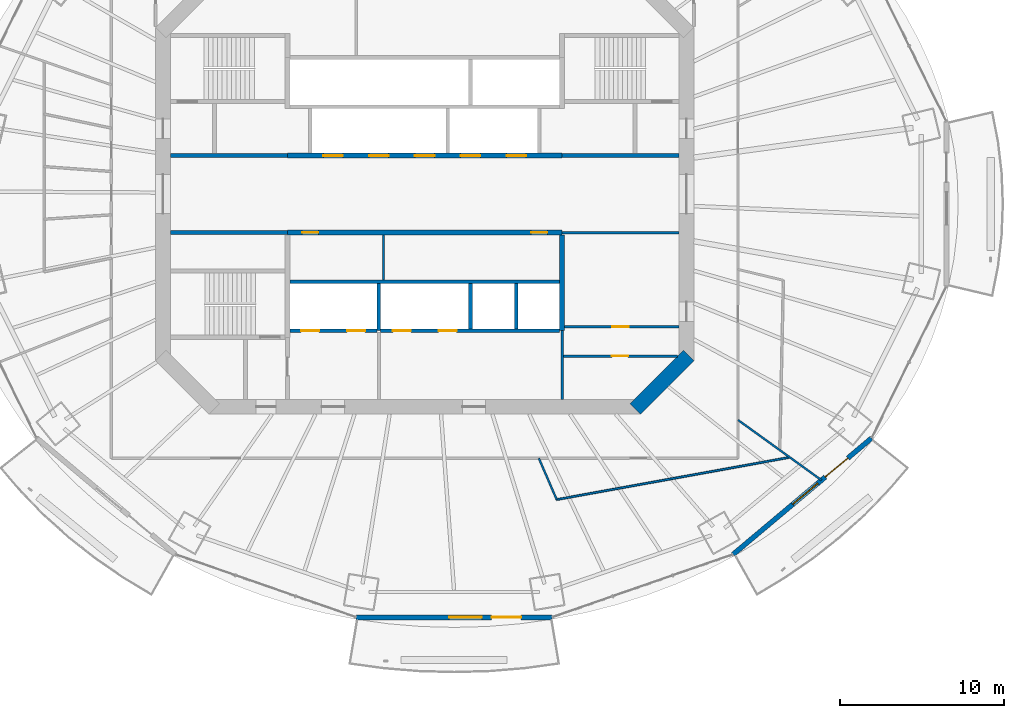
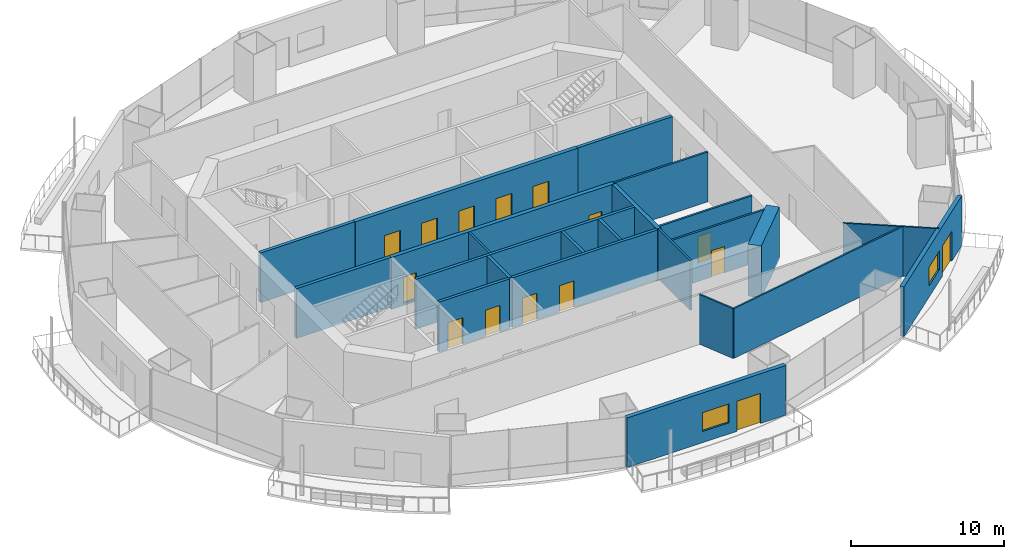
# One storey, part 11 of 19: 23 walls, 15 doors, 2 windows, 17 openings.
"""IFC4 building model written with IfcOpenShell, lengths in metres."""

from ifc_helpers import new_model, si_unit, direction, frame, frame_2d, origin, place, context, subcontext, project, spatial, rectangle, extrude, material, layer, layer_set, type_object, element, fill, save


model = new_model("IFC4")

# Units and contexts
model_context = context("Model", 3, precision=1e-05, world=origin(), true_north=direction((0.0, 1.0)))
body_context = subcontext(model_context, "Body", "Model", "MODEL_VIEW")
ifc_project = project(units=[si_unit("LENGTHUNIT", "METRE"), si_unit("AREAUNIT", "SQUARE_METRE"), si_unit("VOLUMEUNIT", "CUBIC_METRE"), si_unit("PLANEANGLEUNIT", "RADIAN"), si_unit("MASSUNIT", "GRAM", prefix="KILO")], contexts=[model_context])

# Site, building, storey
site_placement = place(None, origin())
site = spatial("IfcSite", under=ifc_project, at=site_placement, CompositionType="ELEMENT")
building_placement = place(site_placement, origin())
building = spatial("IfcBuilding", under=site, at=building_placement, Name="Marenthal Gate Tower", CompositionType="ELEMENT")
storey_placement = place(building_placement, frame((0.0, 0.0, 231.60009765625)))
storey = spatial("IfcBuildingStorey", under=building, at=storey_placement, Name="L51", CompositionType="ELEMENT", Elevation=231.60009765625)

# Wall
ifc_material_1 = material(Name="Concrete 60 MPa", Category="concrete")
ifc_layer_1 = layer(ifc_material_1, 0.89990234375)
ifc_layer_set_1 = layer_set([ifc_layer_1], Name="Core shear wall 900")
wall_type_1 = type_object("IfcWallType", Name="Core shear wall 900", PredefinedType="SHEAR", material=ifc_layer_set_1)
wall_1_placement = place(storey_placement, frame((12.8681640625, -13.1318359375, -0.18017578125), z_axis=(0.0, 0.0, 1.0), x_axis=(0.707106781187, 0.707106781187, 0.0)))
element("IfcWall", 1, at=wall_1_placement, inside=storey, type_object=wall_type_1, Name="Core wall 01", PredefinedType="SHEAR", context=body_context, shape_type="SweptSolid", body=[
    extrude(rectangle(XDim=4.615478515625, YDim=0.89990234375, at=frame_2d((2.3076171875, 0.0))), origin(), (0.0, 0.0, 1.0), 4.150146484375),
])

# Wall, openings, doors
ifc_material_2 = material(Name="Concrete 50 MPa", Category="concrete")
ifc_layer_2 = layer(ifc_material_2, 0.300048828125)
ifc_layer_set_2 = layer_set([ifc_layer_2], Name="Hoistway shear wall 300")
wall_type_2 = type_object("IfcWallType", Name="Hoistway shear wall 300", PredefinedType="SHEAR", material=ifc_layer_set_2)
wall_2_placement = place(storey_placement, frame((-8.39990234375, -2.35009765625, -0.18017578125), z_axis=(0.0, 0.0, 1.0), x_axis=(1.0, 0.0, 0.0)))
wall_2 = element("IfcWall", 2, at=wall_2_placement, inside=storey, type_object=wall_type_2, Name="Hoistway wall 17", PredefinedType="SHEAR", context=body_context, shape_type="SweptSolid", body=[
    extrude(rectangle(XDim=16.7998046875, YDim=0.300048828125, at=frame_2d((8.39990234375, 0.0))), origin(), (0.0, 0.0, 1.0), 4.150146484375),
])
opening_1_placement = place(wall_2_placement, frame((0.89990234375, 0.0, 0.179931640625)))
opening_1 = element("IfcOpeningElement", 3, at=opening_1_placement, cuts=wall_2, Name="Opening D005.01", PredefinedType="OPENING", context=body_context, shape_type="SweptSolid", body=[
    extrude(rectangle(XDim=1.0, YDim=2.10009765625, at=frame_2d((0.5, 1.050048828125))), frame((0.0, 0.16015625, 0.0), z_axis=(0.0, -1.0, 0.0), x_axis=(1.0, 0.0, 0.0)), (0.0, 0.0, 1.0), 0.320068359375),
])
opening_2_placement = place(wall_2_placement, frame((14.89990234375, 0.0, 0.179931640625)))
opening_2 = element("IfcOpeningElement", 4, at=opening_2_placement, cuts=wall_2, Name="Opening D005.02", PredefinedType="OPENING", context=body_context, shape_type="SweptSolid", body=[
    extrude(rectangle(XDim=1.0, YDim=2.10009765625, at=frame_2d((0.5, 1.050048828125))), frame((0.0, 0.16015625, 0.0), z_axis=(0.0, -1.0, 0.0), x_axis=(1.0, 0.0, 0.0)), (0.0, 0.0, 1.0), 0.320068359375),
])
ifc_material_3 = material(Name="Steel fire door", Category="steel")
door_type_1 = type_object("IfcDoorType", Name="Fire door FD 45 1000 x 2100", OperationType="NOTDEFINED", PredefinedType="DOOR", material=ifc_material_3)
door_1_placement = place(opening_1_placement, frame((1.0, 0.0, 0.0), z_axis=(0.0, 0.0, 1.0), x_axis=(-1.0, 0.0, 0.0)))
door_1 = element("IfcDoor", 5, at=door_1_placement, inside=storey, type_object=door_type_1, Name="Door D005.01", OperationType="SINGLE_SWING_LEFT", OverallHeight=2.10009765625, OverallWidth=1.0, PredefinedType="DOOR", context=body_context, shape_type="SweptSolid", body=[
    extrude(rectangle(XDim=1.0, YDim=2.10009765625, at=frame_2d((0.5, 1.050048828125))), frame((0.0, 0.02490234375, 0.0), z_axis=(0.0, -1.0, 0.0), x_axis=(1.0, 0.0, 0.0)), (0.0, 0.0, 1.0), 0.050048828125),
])
fill(opening_1, door_1)
door_2_placement = place(opening_2_placement, frame((1.0, 0.0, 0.0), z_axis=(0.0, 0.0, 1.0), x_axis=(-1.0, 0.0, 0.0)))
door_2 = element("IfcDoor", 6, at=door_2_placement, inside=storey, type_object=door_type_1, Name="Door D005.02", OperationType="SINGLE_SWING_LEFT", OverallHeight=2.10009765625, OverallWidth=1.0, PredefinedType="DOOR", context=body_context, shape_type="SweptSolid", body=[
    extrude(rectangle(XDim=1.0, YDim=2.10009765625, at=frame_2d((0.5, 1.050048828125))), frame((0.0, 0.02490234375, 0.0), z_axis=(0.0, -1.0, 0.0), x_axis=(1.0, 0.0, 0.0)), (0.0, 0.0, 1.0), 0.050048828125),
])
fill(opening_2, door_2)

wall_3_placement = place(storey_placement, frame((-8.39990234375, 2.35009765625, -0.18017578125), z_axis=(0.0, 0.0, 1.0), x_axis=(1.0, 0.0, 0.0)))
wall_3 = element("IfcWall", 7, at=wall_3_placement, inside=storey, type_object=wall_type_2, Name="Hoistway wall 20", PredefinedType="SHEAR", context=body_context, shape_type="SweptSolid", body=[
    extrude(rectangle(XDim=16.7998046875, YDim=0.300048828125, at=frame_2d((8.39990234375, 0.0))), origin(), (0.0, 0.0, 1.0), 4.150146484375),
])
opening_3_placement = place(wall_3_placement, frame((2.199951171875, 0.0, 0.179931640625)))
opening_3 = element("IfcOpeningElement", 8, at=opening_3_placement, cuts=wall_3, Name="Opening LD-MP1", PredefinedType="OPENING", context=body_context, shape_type="SweptSolid", body=[
    extrude(rectangle(XDim=1.199951171875, YDim=2.10009765625, at=frame_2d((0.60009765625, 1.050048828125))), frame((0.0, 0.16015625, 0.0), z_axis=(0.0, -1.0, 0.0), x_axis=(1.0, 0.0, 0.0)), (0.0, 0.0, 1.0), 0.320068359375),
])
opening_4_placement = place(wall_3_placement, frame((5.0, 0.0, 0.179931640625)))
opening_4 = element("IfcOpeningElement", 9, at=opening_4_placement, cuts=wall_3, Name="Opening LD-MP2", PredefinedType="OPENING", context=body_context, shape_type="SweptSolid", body=[
    extrude(rectangle(XDim=1.199951171875, YDim=2.10009765625, at=frame_2d((0.60009765625, 1.050048828125))), frame((0.0, 0.16015625, 0.0), z_axis=(0.0, -1.0, 0.0), x_axis=(1.0, 0.0, 0.0)), (0.0, 0.0, 1.0), 0.320068359375),
])
opening_5_placement = place(wall_3_placement, frame((7.800048828125, 0.0, 0.179931640625)))
opening_5 = element("IfcOpeningElement", 10, at=opening_5_placement, cuts=wall_3, Name="Opening LD-MP3", PredefinedType="OPENING", context=body_context, shape_type="SweptSolid", body=[
    extrude(rectangle(XDim=1.199951171875, YDim=2.10009765625, at=frame_2d((0.60009765625, 1.050048828125))), frame((0.0, 0.16015625, 0.0), z_axis=(0.0, -1.0, 0.0), x_axis=(1.0, 0.0, 0.0)), (0.0, 0.0, 1.0), 0.320068359375),
])
opening_6_placement = place(wall_3_placement, frame((10.60009765625, 0.0, 0.179931640625)))
opening_6 = element("IfcOpeningElement", 11, at=opening_6_placement, cuts=wall_3, Name="Opening LD-MP4", PredefinedType="OPENING", context=body_context, shape_type="SweptSolid", body=[
    extrude(rectangle(XDim=1.199951171875, YDim=2.10009765625, at=frame_2d((0.60009765625, 1.050048828125))), frame((0.0, 0.16015625, 0.0), z_axis=(0.0, -1.0, 0.0), x_axis=(1.0, 0.0, 0.0)), (0.0, 0.0, 1.0), 0.320068359375),
])
opening_7_placement = place(wall_3_placement, frame((13.39990234375, 0.0, 0.179931640625)))
opening_7 = element("IfcOpeningElement", 12, at=opening_7_placement, cuts=wall_3, Name="Opening LD-MP5", PredefinedType="OPENING", context=body_context, shape_type="SweptSolid", body=[
    extrude(rectangle(XDim=1.199951171875, YDim=2.10009765625, at=frame_2d((0.60009765625, 1.050048828125))), frame((0.0, 0.16015625, 0.0), z_axis=(0.0, -1.0, 0.0), x_axis=(1.0, 0.0, 0.0)), (0.0, 0.0, 1.0), 0.320068359375),
])
ifc_material_4 = material(Name="Stainless steel sliding door", Category="steel")
door_type_2 = type_object("IfcDoorType", Name="Lift landing door FD 90 1200 x 2100", OperationType="DOUBLE_DOOR_SLIDING", PredefinedType="DOOR", material=ifc_material_4)
door_3_placement = place(opening_3_placement, origin())
door_3 = element("IfcDoor", 13, at=door_3_placement, inside=storey, type_object=door_type_2, Name="Lift landing door MP1", OperationType="DOUBLE_DOOR_SLIDING", OverallHeight=2.10009765625, OverallWidth=1.199951171875, PredefinedType="DOOR", context=body_context, shape_type="SweptSolid", body=[
    extrude(rectangle(XDim=1.199951171875, YDim=2.10009765625, at=frame_2d((0.60009765625, 1.050048828125))), frame((0.0, 0.02490234375, 0.0), z_axis=(0.0, -1.0, 0.0), x_axis=(1.0, 0.0, 0.0)), (0.0, 0.0, 1.0), 0.050048828125),
])
fill(opening_3, door_3)
door_4_placement = place(opening_4_placement, origin())
door_4 = element("IfcDoor", 14, at=door_4_placement, inside=storey, type_object=door_type_2, Name="Lift landing door MP2", OperationType="DOUBLE_DOOR_SLIDING", OverallHeight=2.10009765625, OverallWidth=1.199951171875, PredefinedType="DOOR", context=body_context, shape_type="SweptSolid", body=[
    extrude(rectangle(XDim=1.199951171875, YDim=2.10009765625, at=frame_2d((0.60009765625, 1.050048828125))), frame((0.0, 0.02490234375, 0.0), z_axis=(0.0, -1.0, 0.0), x_axis=(1.0, 0.0, 0.0)), (0.0, 0.0, 1.0), 0.050048828125),
])
fill(opening_4, door_4)
door_5_placement = place(opening_5_placement, origin())
door_5 = element("IfcDoor", 15, at=door_5_placement, inside=storey, type_object=door_type_2, Name="Lift landing door MP3", OperationType="DOUBLE_DOOR_SLIDING", OverallHeight=2.10009765625, OverallWidth=1.199951171875, PredefinedType="DOOR", context=body_context, shape_type="SweptSolid", body=[
    extrude(rectangle(XDim=1.199951171875, YDim=2.10009765625, at=frame_2d((0.60009765625, 1.050048828125))), frame((0.0, 0.02490234375, 0.0), z_axis=(0.0, -1.0, 0.0), x_axis=(1.0, 0.0, 0.0)), (0.0, 0.0, 1.0), 0.050048828125),
])
fill(opening_5, door_5)
door_6_placement = place(opening_6_placement, origin())
door_6 = element("IfcDoor", 16, at=door_6_placement, inside=storey, type_object=door_type_2, Name="Lift landing door MP4", OperationType="DOUBLE_DOOR_SLIDING", OverallHeight=2.10009765625, OverallWidth=1.199951171875, PredefinedType="DOOR", context=body_context, shape_type="SweptSolid", body=[
    extrude(rectangle(XDim=1.199951171875, YDim=2.10009765625, at=frame_2d((0.60009765625, 1.050048828125))), frame((0.0, 0.02490234375, 0.0), z_axis=(0.0, -1.0, 0.0), x_axis=(1.0, 0.0, 0.0)), (0.0, 0.0, 1.0), 0.050048828125),
])
fill(opening_6, door_6)
door_7_placement = place(opening_7_placement, origin())
door_7 = element("IfcDoor", 17, at=door_7_placement, inside=storey, type_object=door_type_2, Name="Lift landing door MP5", OperationType="DOUBLE_DOOR_SLIDING", OverallHeight=2.10009765625, OverallWidth=1.199951171875, PredefinedType="DOOR", context=body_context, shape_type="SweptSolid", body=[
    extrude(rectangle(XDim=1.199951171875, YDim=2.10009765625, at=frame_2d((0.60009765625, 1.050048828125))), frame((0.0, 0.02490234375, 0.0), z_axis=(0.0, -1.0, 0.0), x_axis=(1.0, 0.0, 0.0)), (0.0, 0.0, 1.0), 0.050048828125),
])
fill(opening_7, door_7)

# Wall
wall_4_placement = place(storey_placement, frame((8.39990234375, -8.35009765625, -0.18017578125), z_axis=(0.0, 0.0, 1.0), x_axis=(0.0, 1.0, 0.0)))
element("IfcWall", 18, at=wall_4_placement, inside=storey, type_object=wall_type_2, Name="Hoistway wall 45", PredefinedType="SHEAR", context=body_context, shape_type="SweptSolid", body=[
    extrude(rectangle(XDim=5.85009765625, YDim=0.300048828125, at=frame_2d((2.925048828125, 0.0))), origin(), (0.0, 0.0, 1.0), 4.150146484375),
])

# Wall, openings, doors
ifc_material_5 = material(Name="Concrete 40 MPa", Category="concrete")
ifc_layer_3 = layer(ifc_material_5, 0.219970703125)
ifc_layer_set_3 = layer_set([ifc_layer_3], Name="Hoistway wall 220")
wall_type_3 = type_object("IfcWallType", Name="Hoistway wall 220", PredefinedType="STANDARD", material=ifc_layer_set_3)
wall_5_placement = place(storey_placement, frame((-8.25, -8.35009765625, 0.0), z_axis=(0.0, 0.0, 1.0), x_axis=(1.0, 0.0, 0.0)))
wall_5 = element("IfcWall", 19, at=wall_5_placement, inside=storey, type_object=wall_type_3, Name="Hoistway wall 11", PredefinedType="STANDARD", context=body_context, shape_type="SweptSolid", body=[
    extrude(rectangle(XDim=5.340087890625, YDim=0.219970703125, at=frame_2d((2.669921875, 0.0))), origin(), (0.0, 0.0, 1.0), 3.969970703125),
])
opening_8_placement = place(wall_5_placement, frame((0.699951171875, 0.0, 0.0)))
opening_8 = element("IfcOpeningElement", 20, at=opening_8_placement, cuts=wall_5, Name="Opening LD-LF1", PredefinedType="OPENING", context=body_context, shape_type="SweptSolid", body=[
    extrude(rectangle(XDim=1.10009765625, YDim=2.10009765625, at=frame_2d((0.550048828125, 1.050048828125))), frame((0.0, 0.1201171875, 0.0), z_axis=(0.0, -1.0, 0.0), x_axis=(1.0, 0.0, 0.0)), (0.0, 0.0, 1.0), 0.239990234375),
])
opening_9_placement = place(wall_5_placement, frame((3.5, 0.0, 0.0)))
opening_9 = element("IfcOpeningElement", 21, at=opening_9_placement, cuts=wall_5, Name="Opening LD-LF2", PredefinedType="OPENING", context=body_context, shape_type="SweptSolid", body=[
    extrude(rectangle(XDim=1.10009765625, YDim=2.10009765625, at=frame_2d((0.550048828125, 1.050048828125))), frame((0.0, 0.1201171875, 0.0), z_axis=(0.0, -1.0, 0.0), x_axis=(1.0, 0.0, 0.0)), (0.0, 0.0, 1.0), 0.239990234375),
])
ifc_material_6 = material(Name="Stainless steel sliding door", Category="steel")
door_type_3 = type_object("IfcDoorType", Name="Lift landing door FD 90 1100 x 2100", OperationType="DOUBLE_DOOR_SLIDING", PredefinedType="DOOR", material=ifc_material_6)
door_8_placement = place(opening_8_placement, origin())
door_8 = element("IfcDoor", 22, at=door_8_placement, inside=storey, type_object=door_type_3, Name="Lift landing door LF1", OperationType="DOUBLE_DOOR_SLIDING", OverallHeight=2.10009765625, OverallWidth=1.10009765625, PredefinedType="DOOR", context=body_context, shape_type="SweptSolid", body=[
    extrude(rectangle(XDim=1.10009765625, YDim=2.10009765625, at=frame_2d((0.550048828125, 1.050048828125))), frame((0.0, 0.02490234375, 0.0), z_axis=(0.0, -1.0, 0.0), x_axis=(1.0, 0.0, 0.0)), (0.0, 0.0, 1.0), 0.050048828125),
])
fill(opening_8, door_8)
door_9_placement = place(opening_9_placement, origin())
door_9 = element("IfcDoor", 23, at=door_9_placement, inside=storey, type_object=door_type_3, Name="Lift landing door LF2", OperationType="DOUBLE_DOOR_SLIDING", OverallHeight=2.10009765625, OverallWidth=1.10009765625, PredefinedType="DOOR", context=body_context, shape_type="SweptSolid", body=[
    extrude(rectangle(XDim=1.10009765625, YDim=2.10009765625, at=frame_2d((0.550048828125, 1.050048828125))), frame((0.0, 0.02490234375, 0.0), z_axis=(0.0, -1.0, 0.0), x_axis=(1.0, 0.0, 0.0)), (0.0, 0.0, 1.0), 0.050048828125),
])
fill(opening_9, door_9)

wall_6_placement = place(storey_placement, frame((-2.68994140625, -8.35009765625, 0.0), z_axis=(0.0, 0.0, 1.0), x_axis=(1.0, 0.0, 0.0)))
wall_6 = element("IfcWall", 24, at=wall_6_placement, inside=storey, type_object=wall_type_3, Name="Hoistway wall 12", PredefinedType="STANDARD", context=body_context, shape_type="SweptSolid", body=[
    extrude(rectangle(XDim=10.93994140625, YDim=0.219970703125, at=frame_2d((5.469970703125, 0.0))), origin(), (0.0, 0.0, 1.0), 3.969970703125),
])
opening_10_placement = place(wall_6_placement, frame((0.739990234375, 0.0, 0.0)))
opening_10 = element("IfcOpeningElement", 25, at=opening_10_placement, cuts=wall_6, Name="Opening LD-SV1", PredefinedType="OPENING", context=body_context, shape_type="SweptSolid", body=[
    extrude(rectangle(XDim=1.10009765625, YDim=2.10009765625, at=frame_2d((0.550048828125, 1.050048828125))), frame((0.0, 0.1201171875, 0.0), z_axis=(0.0, -1.0, 0.0), x_axis=(1.0, 0.0, 0.0)), (0.0, 0.0, 1.0), 0.239990234375),
])
opening_11_placement = place(wall_6_placement, frame((3.5400390625, 0.0, 0.0)))
opening_11 = element("IfcOpeningElement", 26, at=opening_11_placement, cuts=wall_6, Name="Opening LD-SV2", PredefinedType="OPENING", context=body_context, shape_type="SweptSolid", body=[
    extrude(rectangle(XDim=1.10009765625, YDim=2.10009765625, at=frame_2d((0.550048828125, 1.050048828125))), frame((0.0, 0.1201171875, 0.0), z_axis=(0.0, -1.0, 0.0), x_axis=(1.0, 0.0, 0.0)), (0.0, 0.0, 1.0), 0.239990234375),
])
door_10_placement = place(opening_10_placement, origin())
door_10 = element("IfcDoor", 27, at=door_10_placement, inside=storey, type_object=door_type_3, Name="Lift landing door SV1", OperationType="DOUBLE_DOOR_SLIDING", OverallHeight=2.10009765625, OverallWidth=1.10009765625, PredefinedType="DOOR", context=body_context, shape_type="SweptSolid", body=[
    extrude(rectangle(XDim=1.10009765625, YDim=2.10009765625, at=frame_2d((0.550048828125, 1.050048828125))), frame((0.0, 0.02490234375, 0.0), z_axis=(0.0, -1.0, 0.0), x_axis=(1.0, 0.0, 0.0)), (0.0, 0.0, 1.0), 0.050048828125),
])
fill(opening_10, door_10)
door_11_placement = place(opening_11_placement, origin())
door_11 = element("IfcDoor", 28, at=door_11_placement, inside=storey, type_object=door_type_3, Name="Lift landing door SV2", OperationType="DOUBLE_DOOR_SLIDING", OverallHeight=2.10009765625, OverallWidth=1.10009765625, PredefinedType="DOOR", context=body_context, shape_type="SweptSolid", body=[
    extrude(rectangle(XDim=1.10009765625, YDim=2.10009765625, at=frame_2d((0.550048828125, 1.050048828125))), frame((0.0, 0.02490234375, 0.0), z_axis=(0.0, -1.0, 0.0), x_axis=(1.0, 0.0, 0.0)), (0.0, 0.0, 1.0), 0.050048828125),
])
fill(opening_11, door_11)

# Walls
wall_7_placement = place(storey_placement, frame((-8.25, -5.35009765625, 0.0), z_axis=(0.0, 0.0, 1.0), x_axis=(1.0, 0.0, 0.0)))
element("IfcWall", 29, at=wall_7_placement, inside=storey, type_object=wall_type_3, Name="Hoistway wall 14", PredefinedType="STANDARD", context=body_context, shape_type="SweptSolid", body=[
    extrude(rectangle(XDim=16.5, YDim=0.219970703125, at=frame_2d((8.25, 0.0))), origin(), (0.0, 0.0, 1.0), 3.969970703125),
])
wall_8_placement = place(storey_placement, frame((-2.800048828125, -8.35009765625, 0.0), z_axis=(0.0, 0.0, 1.0), x_axis=(0.0, 1.0, 0.0)))
element("IfcWall", 30, at=wall_8_placement, inside=storey, type_object=wall_type_3, Name="Hoistway wall 37", PredefinedType="STANDARD", context=body_context, shape_type="SweptSolid", body=[
    extrude(rectangle(XDim=2.89013671875, YDim=0.219970703125, at=frame_2d((1.445068359375, 0.0))), origin(), (0.0, 0.0, 1.0), 3.969970703125),
])
for number, where, z_axis, x_axis, name in (
    (31, (2.800048828125, -8.239990234375, 0.0), (0.0, 0.0, 1.0), (0.0, 1.0, 0.0), "Hoistway wall 40"),
    (32, (5.60009765625, -8.239990234375, 0.0), (0.0, 0.0, 1.0), (0.0, 1.0, 0.0), "Hoistway wall 42"),
):
    element("IfcWall", number, at=place(storey_placement, frame(where, z_axis=z_axis, x_axis=x_axis)), inside=storey, type_object=wall_type_3, Name=name, PredefinedType="STANDARD", context=body_context, shape_type="SweptSolid", body=[
        extrude(rectangle(XDim=2.780029296875, YDim=0.219970703125, at=frame_2d((1.39013671875, 0.0))), origin(), (0.0, 0.0, 1.0), 3.969970703125),
    ])
ifc_material_7 = material(Name="Gypsum board on steel studs", Category="steel")
ifc_layer_4 = layer(ifc_material_7, 0.1201171875)
ifc_layer_set_4 = layer_set([ifc_layer_4], Name="Partition 120")
wall_type_4 = type_object("IfcWallType", Name="Partition 120", PredefinedType="PARTITIONING", material=ifc_layer_set_4)
wall_9_placement = place(storey_placement, frame((8.06640625, -18.672607421875, 0.0), z_axis=(0.0, 0.0, 1.0), x_axis=(0.983945089575, 0.178471456263, 0.0)))
element("IfcWall", 33, at=wall_9_placement, inside=storey, type_object=wall_type_4, Name="Partition wall 60", PredefinedType="PARTITIONING", context=body_context, shape_type="SweptSolid", body=[
    extrude(rectangle(XDim=14.479736328125, YDim=0.1201171875, at=frame_2d((7.23974609375, 0.0))), origin(), (0.0, 0.0, 1.0), 3.969970703125),
])
wall_10_placement = place(storey_placement, frame((8.06640625, -18.672607421875, 0.0), z_axis=(0.0, 0.0, 1.0), x_axis=(-0.39651259826, 0.918029280264, 0.0)))
element("IfcWall", 34, at=wall_10_placement, inside=storey, type_object=wall_type_4, Name="Partition wall 61", PredefinedType="PARTITIONING", context=body_context, shape_type="SweptSolid", body=[
    extrude(rectangle(XDim=2.748046875, YDim=0.1201171875, at=frame_2d((1.3740234375, 0.0))), origin(), (0.0, 0.0, 1.0), 3.969970703125),
])
wall_11_placement = place(storey_placement, frame((19.14990234375, -13.807373046875, 0.0), z_axis=(0.0, 0.0, 1.0), x_axis=(0.811160965087, -0.584822955021, 0.0)))
element("IfcWall", 35, at=wall_11_placement, inside=storey, type_object=wall_type_4, Name="Partition wall 65", PredefinedType="PARTITIONING", context=body_context, shape_type="SweptSolid", body=[
    extrude(rectangle(XDim=6.290771484375, YDim=0.1201171875, at=frame_2d((3.1455078125, 0.0))), origin(), (0.0, 0.0, 1.0), 3.969970703125),
])

# Wall, opening, door
ifc_material_8 = material(Name="Gypsum board on steel studs", Category="steel")
ifc_layer_5 = layer(ifc_material_8, 0.14990234375)
ifc_layer_set_5 = layer_set([ifc_layer_5], Name="Partition 150")
wall_type_5 = type_object("IfcWallType", Name="Partition 150", PredefinedType="PARTITIONING", material=ifc_layer_set_5)
wall_12_placement = place(storey_placement, frame((8.47509765625, -9.89990234375, 0.0), z_axis=(0.0, 0.0, 1.0), x_axis=(1.0, 0.0, 0.0)))
wall_12 = element("IfcWall", 36, at=wall_12_placement, inside=storey, type_object=wall_type_5, Name="Partition wall 09", PredefinedType="PARTITIONING", context=body_context, shape_type="SweptSolid", body=[
    extrude(rectangle(XDim=6.988525390625, YDim=0.14990234375, at=frame_2d((3.494140625, 0.0))), origin(), (0.0, 0.0, 1.0), 3.969970703125),
])
opening_12_placement = place(wall_12_placement, frame((2.956787109375, 0.0, 0.0)))
opening_12 = element("IfcOpeningElement", 37, at=opening_12_placement, cuts=wall_12, Name="Opening D005.06", PredefinedType="OPENING", context=body_context, shape_type="SweptSolid", body=[
    extrude(rectangle(XDim=1.0, YDim=2.10009765625, at=frame_2d((0.5, 1.050048828125))), frame((0.0, 0.0849609375, 0.0), z_axis=(0.0, -1.0, 0.0), x_axis=(1.0, 0.0, 0.0)), (0.0, 0.0, 1.0), 0.169921875),
])
door_12_placement = place(opening_12_placement, frame((1.0, 0.0, 0.0), z_axis=(0.0, 0.0, 1.0), x_axis=(-1.0, 0.0, 0.0)))
door_12 = element("IfcDoor", 38, at=door_12_placement, inside=storey, type_object=door_type_1, Name="Door D005.06", OperationType="SINGLE_SWING_LEFT", OverallHeight=2.10009765625, OverallWidth=1.0, PredefinedType="DOOR", context=body_context, shape_type="SweptSolid", body=[
    extrude(rectangle(XDim=1.0, YDim=2.10009765625, at=frame_2d((0.5, 1.050048828125))), frame((0.0, 0.02490234375, 0.0), z_axis=(0.0, -1.0, 0.0), x_axis=(1.0, 0.0, 0.0)), (0.0, 0.0, 1.0), 0.050048828125),
])
fill(opening_12, door_12)

wall_13_placement = place(storey_placement, frame((8.550048828125, -8.10009765625, 0.0), z_axis=(0.0, 0.0, 1.0), x_axis=(1.0, 0.0, 0.0)))
wall_13 = element("IfcWall", 39, at=wall_13_placement, inside=storey, type_object=wall_type_5, Name="Partition wall 13", PredefinedType="PARTITIONING", context=body_context, shape_type="SweptSolid", body=[
    extrude(rectangle(XDim=7.0, YDim=0.14990234375, at=frame_2d((3.5, 0.0))), origin(), (0.0, 0.0, 1.0), 3.969970703125),
])
opening_13_placement = place(wall_13_placement, frame((2.925048828125, 0.0, 0.0)))
opening_13 = element("IfcOpeningElement", 40, at=opening_13_placement, cuts=wall_13, Name="Opening D005.05", PredefinedType="OPENING", context=body_context, shape_type="SweptSolid", body=[
    extrude(rectangle(XDim=1.0, YDim=2.10009765625, at=frame_2d((0.5, 1.050048828125))), frame((0.0, 0.0849609375, 0.0), z_axis=(0.0, -1.0, 0.0), x_axis=(1.0, 0.0, 0.0)), (0.0, 0.0, 1.0), 0.169921875),
])
door_13_placement = place(opening_13_placement, origin())
door_13 = element("IfcDoor", 41, at=door_13_placement, inside=storey, type_object=door_type_1, Name="Door D005.05", OperationType="SINGLE_SWING_RIGHT", OverallHeight=2.10009765625, OverallWidth=1.0, PredefinedType="DOOR", context=body_context, shape_type="SweptSolid", body=[
    extrude(rectangle(XDim=1.0, YDim=2.10009765625, at=frame_2d((0.5, 1.050048828125))), frame((0.0, 0.02490234375, 0.0), z_axis=(0.0, -1.0, 0.0), x_axis=(1.0, 0.0, 0.0)), (0.0, 0.0, 1.0), 0.050048828125),
])
fill(opening_13, door_13)

# Walls
wall_14_placement = place(storey_placement, frame((8.39990234375, -2.35009765625, 0.0), z_axis=(0.0, 0.0, 1.0), x_axis=(1.0, 0.0, 0.0)))
element("IfcWall", 42, at=wall_14_placement, inside=storey, type_object=wall_type_5, Name="Partition wall 18", PredefinedType="PARTITIONING", context=body_context, shape_type="SweptSolid", body=[
    extrude(rectangle(XDim=7.150146484375, YDim=0.14990234375, at=frame_2d((3.5751953125, 0.0))), origin(), (0.0, 0.0, 1.0), 3.969970703125),
])
wall_15_placement = place(storey_placement, frame((-2.52001953125, -5.239990234375, 0.0), z_axis=(0.0, 0.0, 1.0), x_axis=(0.0, 1.0, 0.0)))
element("IfcWall", 43, at=wall_15_placement, inside=storey, type_object=wall_type_5, Name="Partition wall 38", PredefinedType="PARTITIONING", context=body_context, shape_type="SweptSolid", body=[
    extrude(rectangle(XDim=2.739990234375, YDim=0.14990234375, at=frame_2d((1.3701171875, 0.0))), origin(), (0.0, 0.0, 1.0), 3.969970703125),
])
wall_16_placement = place(storey_placement, frame((8.39990234375, -12.550048828125, 0.0), z_axis=(0.0, 0.0, 1.0), x_axis=(0.0, 1.0, 0.0)))
element("IfcWall", 44, at=wall_16_placement, inside=storey, type_object=wall_type_5, Name="Partition wall 44", PredefinedType="PARTITIONING", context=body_context, shape_type="SweptSolid", body=[
    extrude(rectangle(XDim=4.199951171875, YDim=0.14990234375, at=frame_2d((2.10009765625, 0.0))), origin(), (0.0, 0.0, 1.0), 3.969970703125),
])
ifc_material_9 = material(Name="Concrete 40 MPa", Category="concrete")
ifc_layer_6 = layer(ifc_material_9, 0.25)
ifc_layer_set_6 = layer_set([ifc_layer_6], Name="Stair enclosure wall 250")
wall_type_6 = type_object("IfcWallType", Name="Stair enclosure wall 250", PredefinedType="STANDARD", material=ifc_layer_set_6)
for number, where, z_axis, x_axis, name in (
    (45, (-15.550048828125, -2.35009765625, 0.0), (0.0, 0.0, 1.0), (1.0, 0.0, 0.0), "Stair wall 16"),
    (46, (-15.550048828125, 2.35009765625, 0.0), (0.0, 0.0, 1.0), (1.0, 0.0, 0.0), "Stair wall 19"),
    (47, (8.39990234375, 2.35009765625, 0.0), (0.0, 0.0, 1.0), (1.0, 0.0, 0.0), "Stair wall 21"),
):
    element("IfcWall", number, at=place(storey_placement, frame(where, z_axis=z_axis, x_axis=x_axis)), inside=storey, type_object=wall_type_6, Name=name, PredefinedType="STANDARD", context=body_context, shape_type="SweptSolid", body=[
        extrude(rectangle(XDim=7.150146484375, YDim=0.25, at=frame_2d((3.5751953125, 0.0))), origin(), (0.0, 0.0, 1.0), 3.969970703125),
    ])

# Wall, openings, door, window
ifc_material_10 = material(Name="Terracotta cladding on insulated concrete-block backing", Category="masonry")
ifc_layer_7 = layer(ifc_material_10, 0.300048828125)
ifc_layer_set_7 = layer_set([ifc_layer_7], Name="Terracotta facade wall 300")
wall_type_7 = type_object("IfcWallType", Name="Terracotta facade wall 300", PredefinedType="SOLIDWALL", material=ifc_layer_set_7)
wall_17_placement = place(storey_placement, frame((-4.18701171875, -25.869873046875, 0.0), z_axis=(0.0, 0.0, 1.0), x_axis=(1.0, 0.0, 0.0)))
wall_17 = element("IfcWall", 48, at=wall_17_placement, inside=storey, type_object=wall_type_7, Name="Terracotta facade wall L51 bay 12", PredefinedType="SOLIDWALL", context=body_context, shape_type="SweptSolid", body=[
    extrude(rectangle(XDim=11.973876953125, YDim=0.300048828125, at=frame_2d((5.98681640625, 0.0))), origin(), (0.0, 0.0, 1.0), 3.969970703125),
])
opening_14_placement = place(wall_17_placement, frame((8.273681640625, 0.0, 0.0)))
opening_14 = element("IfcOpeningElement", 49, at=opening_14_placement, cuts=wall_17, Name="Opening BD-L51-12", PredefinedType="OPENING", context=body_context, shape_type="SweptSolid", body=[
    extrude(rectangle(XDim=1.800048828125, YDim=2.39990234375, at=frame_2d((0.89990234375, 1.199951171875))), frame((0.0, 0.16015625, 0.0), z_axis=(0.0, -1.0, 0.0), x_axis=(1.0, 0.0, 0.0)), (0.0, 0.0, 1.0), 0.320068359375),
])
opening_15_placement = place(wall_17_placement, frame((5.673828125, 0.0, 0.89990234375)))
opening_15 = element("IfcOpeningElement", 50, at=opening_15_placement, cuts=wall_17, Name="Opening WN2-L51-12", PredefinedType="OPENING", context=body_context, shape_type="SweptSolid", body=[
    extrude(rectangle(XDim=2.0, YDim=1.5, at=frame_2d((1.0, 0.75))), frame((0.0, 0.16015625, 0.0), z_axis=(0.0, -1.0, 0.0), x_axis=(1.0, 0.0, 0.0)), (0.0, 0.0, 1.0), 0.320068359375),
])
ifc_material_11 = material(Name="Aluminium and glass", Category="aluminium")
door_type_4 = type_object("IfcDoorType", Name="Balcony door 1800x2400", OperationType="DOUBLE_DOOR_SINGLE_SWING", PredefinedType="DOOR", material=ifc_material_11)
door_14_placement = place(opening_14_placement, origin())
door_14 = element("IfcDoor", 51, at=door_14_placement, inside=storey, type_object=door_type_4, Name="Balcony door L51 bay 12", OperationType="SINGLE_SWING_LEFT", OverallHeight=2.39990234375, OverallWidth=1.800048828125, PredefinedType="DOOR", context=body_context, shape_type="SweptSolid", body=[
    extrude(rectangle(XDim=1.800048828125, YDim=2.39990234375, at=frame_2d((0.89990234375, 1.199951171875))), frame((0.0, 0.02490234375, 0.0), z_axis=(0.0, -1.0, 0.0), x_axis=(1.0, 0.0, 0.0)), (0.0, 0.0, 1.0), 0.050048828125),
])
fill(opening_14, door_14)
ifc_material_12 = material(Name="Aluminium and glass", Category="aluminium")
window_type = type_object("IfcWindowType", Name="Window 2000x1500", PartitioningType="DOUBLE_PANEL_VERTICAL", PredefinedType="WINDOW", material=ifc_material_12)
window_1_placement = place(opening_15_placement, origin())
window_1 = element("IfcWindow", 52, at=window_1_placement, inside=storey, type_object=window_type, Name="Window L51 bay 12", OverallHeight=1.5, OverallWidth=2.0, PartitioningType="SINGLE_PANEL", PredefinedType="WINDOW", context=body_context, shape_type="SweptSolid", body=[
    extrude(rectangle(XDim=2.0, YDim=1.5, at=frame_2d((1.0, 0.75))), frame((0.0, 0.030029296875, 0.0), z_axis=(0.0, -1.0, 0.0), x_axis=(1.0, 0.0, 0.0)), (0.0, 0.0, 1.0), 0.06005859375),
])
fill(opening_15, window_1)

wall_18_placement = place(storey_placement, frame((18.849365234375, -22.022705078125, 0.0), z_axis=(0.0, 0.0, 1.0), x_axis=(0.765870158107, 0.642995257308, 0.0)))
wall_18 = element("IfcWall", 53, at=wall_18_placement, inside=storey, type_object=wall_type_7, Name="Terracotta facade wall L51 bay 14", PredefinedType="SOLIDWALL", context=body_context, shape_type="SweptSolid", body=[
    extrude(rectangle(XDim=11.05517578125, YDim=0.300048828125, at=frame_2d((5.527587890625, 0.0))), origin(), (0.0, 0.0, 1.0), 3.969970703125),
])
opening_16_placement = place(wall_18_placement, frame((7.355224609375, 0.0, 0.0)))
opening_16 = element("IfcOpeningElement", 54, at=opening_16_placement, cuts=wall_18, Name="Opening BD-L51-14", PredefinedType="OPENING", context=body_context, shape_type="SweptSolid", body=[
    extrude(rectangle(XDim=1.800048828125, YDim=2.39990234375, at=frame_2d((0.89990234375, 1.199951171875))), frame((0.0, 0.16015625, 0.0), z_axis=(0.0, -1.0, 0.0), x_axis=(1.0, 0.0, 0.0)), (0.0, 0.0, 1.0), 0.320068359375),
])
opening_17_placement = place(wall_18_placement, frame((4.755126953125, 0.0, 0.89990234375)))
opening_17 = element("IfcOpeningElement", 55, at=opening_17_placement, cuts=wall_18, Name="Opening WN2-L51-14", PredefinedType="OPENING", context=body_context, shape_type="SweptSolid", body=[
    extrude(rectangle(XDim=2.0, YDim=1.5, at=frame_2d((1.0, 0.75))), frame((0.0, 0.16015625, 0.0), z_axis=(0.0, -1.0, 0.0), x_axis=(1.0, 0.0, 0.0)), (0.0, 0.0, 1.0), 0.320068359375),
])
door_15_placement = place(opening_16_placement, origin())
door_15 = element("IfcDoor", 56, at=door_15_placement, inside=storey, type_object=door_type_4, Name="Balcony door L51 bay 14", OperationType="SINGLE_SWING_LEFT", OverallHeight=2.39990234375, OverallWidth=1.800048828125, PredefinedType="DOOR", context=body_context, shape_type="SweptSolid", body=[
    extrude(rectangle(XDim=1.800048828125, YDim=2.39990234375, at=frame_2d((0.89990234375, 1.199951171875))), frame((0.0, 0.02490234375, 0.0), z_axis=(0.0, -1.0, 0.0), x_axis=(1.0, 0.0, 0.0)), (0.0, 0.0, 1.0), 0.050048828125),
])
fill(opening_16, door_15)
window_2_placement = place(opening_17_placement, origin())
window_2 = element("IfcWindow", 57, at=window_2_placement, inside=storey, type_object=window_type, Name="Window L51 bay 14", OverallHeight=1.5, OverallWidth=2.0, PartitioningType="SINGLE_PANEL", PredefinedType="WINDOW", context=body_context, shape_type="SweptSolid", body=[
    extrude(rectangle(XDim=2.0, YDim=1.5, at=frame_2d((1.0, 0.75))), frame((0.0, 0.030029296875, 0.0), z_axis=(0.0, -1.0, 0.0), x_axis=(1.0, 0.0, 0.0)), (0.0, 0.0, 1.0), 0.06005859375),
])
fill(opening_17, window_2)

save(model, "model.ifc")
